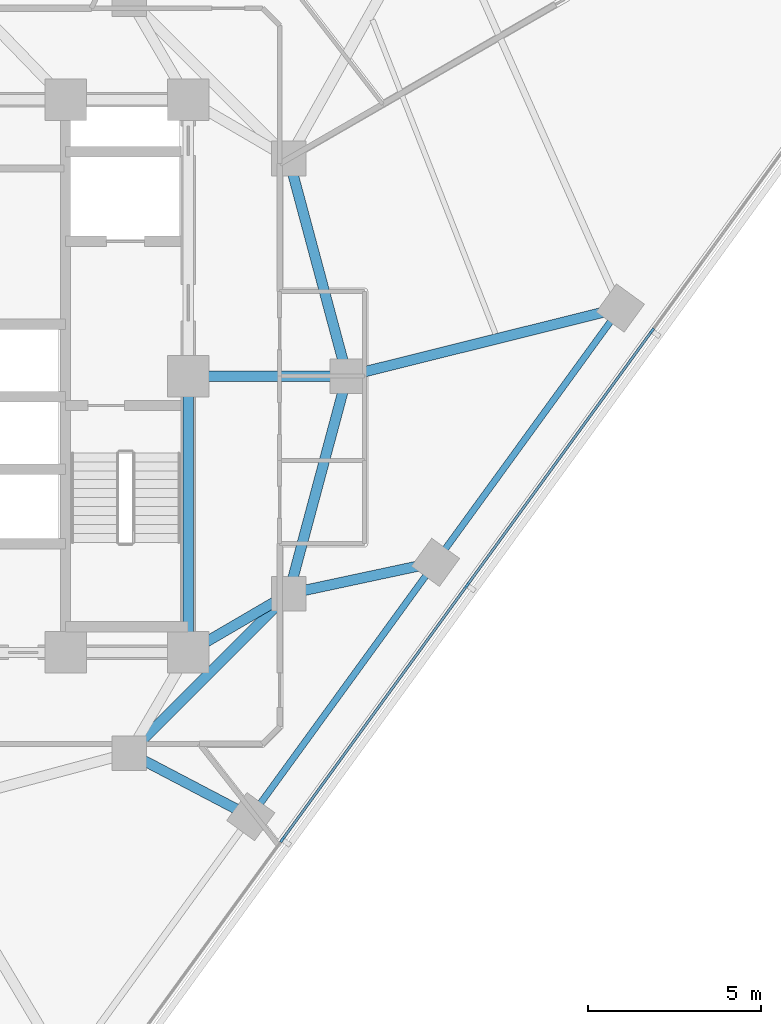
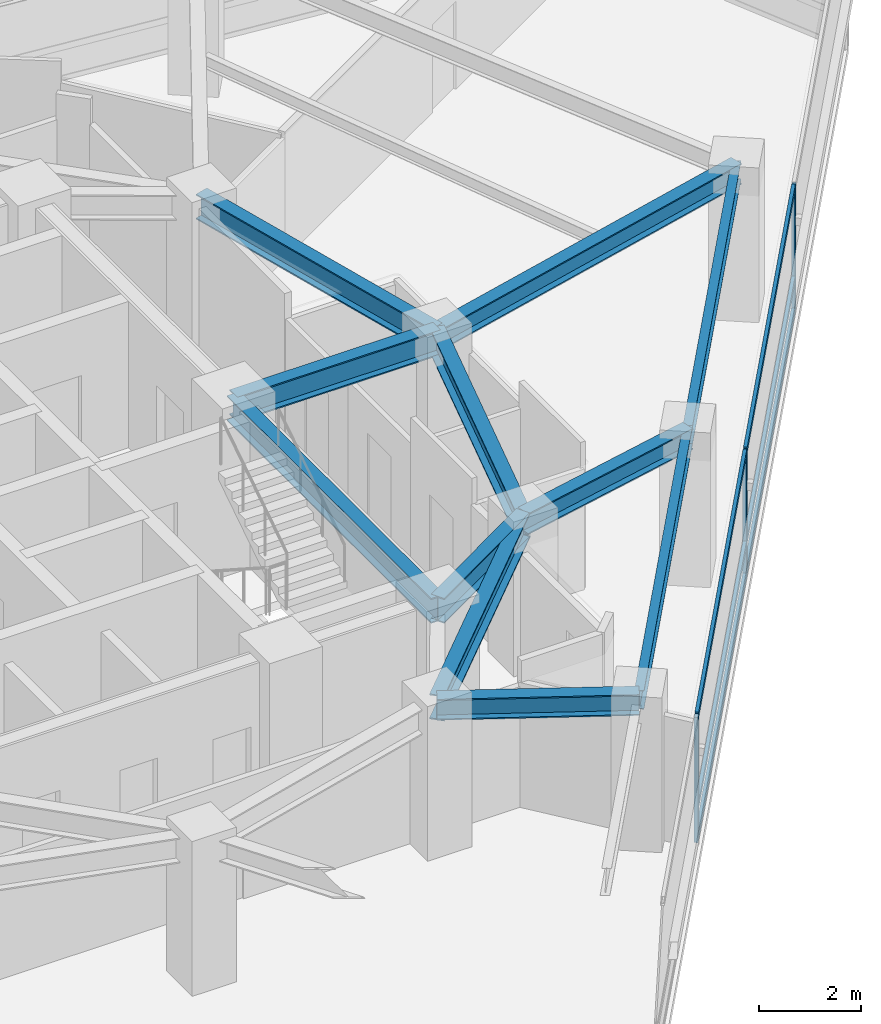
# One storey, part 4 of 14: 11 beams, 9 members, 1 element without a shape of its own.
"""IFC4 building model written with IfcOpenShell, lengths in metres."""

from ifc_helpers import new_model, si_unit, direction, frame, origin, origin_2d, place, context, subcontext, project, spatial, rectangle, i_section, extrude, material, layer, layer_set, material_profile, profile_set, type_object, element, aggregate, save


model = new_model("IFC4")

# Units and contexts
model_context = context("Model", 3, precision=1e-05, world=origin(), true_north=direction((0.0, 1.0)))
body_context = subcontext(model_context, "Body", "Model", "MODEL_VIEW")
ifc_project = project(units=[si_unit("LENGTHUNIT", "METRE"), si_unit("AREAUNIT", "SQUARE_METRE"), si_unit("VOLUMEUNIT", "CUBIC_METRE"), si_unit("PLANEANGLEUNIT", "RADIAN"), si_unit("MASSUNIT", "GRAM", prefix="KILO")], contexts=[model_context])

# Site, building, storey
site_placement = place(None, origin())
site = spatial("IfcSite", under=ifc_project, at=site_placement, CompositionType="ELEMENT")
building_placement = place(site_placement, origin())
building = spatial("IfcBuilding", under=site, at=building_placement, Name="Terralouvre Media Tower", CompositionType="ELEMENT")
storey_placement = place(building_placement, frame((0.0, 0.0, 241.10009765625)))
storey = spatial("IfcBuildingStorey", under=building, at=storey_placement, Name="L62", CompositionType="ELEMENT", Elevation=241.10009765625)

# Curtain wall, members
ifc_material_1 = material(Name="Low-iron laminated double glazing with solar-control coating", Category="glass")
ifc_layer = layer(ifc_material_1, 0.1650390625, Name="Upper Executive Tower Curtain Wall CW-05")
ifc_layer_set = layer_set([ifc_layer], Name="Low-iron laminated double glazing with solar-control coating")
curtain_wall_type = type_object("IfcCurtainWallType", Name="Upper Executive Tower Curtain Wall CW-05", PredefinedType="NOTDEFINED", material=ifc_layer_set)
curtain_wall_placement = place(storey_placement, origin())
curtain_wall = element("IfcCurtainWall", 1, at=curtain_wall_placement, inside=storey, type_object=curtain_wall_type, Name="L62 Facade Curtain Wall F0", PredefinedType="NOTDEFINED")
ifc_material_2 = material(Name="Anodised extruded aluminium 6063-T6", Category="aluminium")
ifc_material_profile_1 = material_profile(ifc_material_2, rectangle(XDim=0.074951171875, YDim=0.14990234375, at=origin_2d()), Name="ALU 75x150")
ifc_profile_set_1 = profile_set([ifc_material_profile_1], Name="Anodised extruded aluminium 6063-T6")
member_type_1 = type_object("IfcMemberType", Name="Curtain-Wall Horizontal Transom TR-150", PredefinedType="USERDEFINED", material=ifc_profile_set_1)
member_1_placement = place(storey_placement, frame((10.748779296875, -13.38720703125, 0.037353515625), z_axis=(0.587772727709, 0.809026093869, 0.0), x_axis=(-0.809026093869, 0.587772727709, 0.0)))
member_1 = element("IfcMember", 2, at=member_1_placement, type_object=member_type_1, Name="CW-05 transom 3.1", ObjectType="TRANSOM", PredefinedType="USERDEFINED", context=body_context, shape_type="SweptSolid", body=[
    extrude(rectangle(XDim=0.074951171875, YDim=0.14990234375, at=origin_2d()), origin(), (0.0, 0.0, 1.0), 9.025146484375),
])
member_2_placement = place(storey_placement, frame((10.748779296875, -13.38720703125, 0.7998046875), z_axis=(0.587772727709, 0.809026093869, 0.0), x_axis=(-0.809026093869, 0.587772727709, 0.0)))
member_2 = element("IfcMember", 3, at=member_2_placement, type_object=member_type_1, Name="CW-05 transom 3.2", ObjectType="TRANSOM", PredefinedType="USERDEFINED", context=body_context, shape_type="SweptSolid", body=[
    extrude(rectangle(XDim=0.074951171875, YDim=0.14990234375, at=origin_2d()), origin(), (0.0, 0.0, 1.0), 9.025146484375),
])
member_3_placement = place(storey_placement, frame((10.748779296875, -13.38720703125, 2.96240234375), z_axis=(0.587772727709, 0.809026093869, 0.0), x_axis=(-0.809026093869, 0.587772727709, 0.0)))
member_3 = element("IfcMember", 4, at=member_3_placement, type_object=member_type_1, Name="CW-05 transom 3.3", ObjectType="TRANSOM", PredefinedType="USERDEFINED", context=body_context, shape_type="SweptSolid", body=[
    extrude(rectangle(XDim=0.074951171875, YDim=0.14990234375, at=origin_2d()), origin(), (0.0, 0.0, 1.0), 9.025146484375),
])
member_4_placement = place(storey_placement, frame((16.09765625, -6.025146484375, 0.037353515625), z_axis=(0.587772727709, 0.809026093869, 0.0), x_axis=(-0.809026093869, 0.587772727709, 0.0)))
member_4 = element("IfcMember", 5, at=member_4_placement, type_object=member_type_1, Name="CW-05 transom 4.1", ObjectType="TRANSOM", PredefinedType="USERDEFINED", context=body_context, shape_type="SweptSolid", body=[
    extrude(rectangle(XDim=0.074951171875, YDim=0.14990234375, at=origin_2d()), origin(), (0.0, 0.0, 1.0), 9.025146484375),
])
member_5_placement = place(storey_placement, frame((16.09765625, -6.025146484375, 0.7998046875), z_axis=(0.587772727709, 0.809026093869, 0.0), x_axis=(-0.809026093869, 0.587772727709, 0.0)))
member_5 = element("IfcMember", 6, at=member_5_placement, type_object=member_type_1, Name="CW-05 transom 4.2", ObjectType="TRANSOM", PredefinedType="USERDEFINED", context=body_context, shape_type="SweptSolid", body=[
    extrude(rectangle(XDim=0.074951171875, YDim=0.14990234375, at=origin_2d()), origin(), (0.0, 0.0, 1.0), 9.025146484375),
])
member_6_placement = place(storey_placement, frame((16.09765625, -6.025146484375, 2.96240234375), z_axis=(0.587772727709, 0.809026093869, 0.0), x_axis=(-0.809026093869, 0.587772727709, 0.0)))
member_6 = element("IfcMember", 7, at=member_6_placement, type_object=member_type_1, Name="CW-05 transom 4.3", ObjectType="TRANSOM", PredefinedType="USERDEFINED", context=body_context, shape_type="SweptSolid", body=[
    extrude(rectangle(XDim=0.074951171875, YDim=0.14990234375, at=origin_2d()), origin(), (0.0, 0.0, 1.0), 9.025146484375),
])
ifc_material_3 = material(Name="Anodised extruded aluminium 6063-T6", Category="aluminium")
ifc_material_profile_2 = material_profile(ifc_material_3, rectangle(XDim=0.074951171875, YDim=0.179931640625, at=origin_2d()), Name="ALU 75x180")
ifc_profile_set_2 = profile_set([ifc_material_profile_2], Name="Anodised extruded aluminium 6063-T6")
member_type_2 = type_object("IfcMemberType", Name="Curtain-Wall Vertical Mullion ML-180", PredefinedType="MULLION", material=ifc_profile_set_2)
member_7_placement = place(storey_placement, frame((10.726806640625, -13.41748046875, 0.0), z_axis=(0.0, 0.0, 1.0), x_axis=(-0.809016959074, 0.587785300879, 0.0)))
member_7 = element("IfcMember", 8, at=member_7_placement, type_object=member_type_2, Name="CW-05 mullion 3", PredefinedType="MULLION", context=body_context, shape_type="SweptSolid", body=[
    extrude(rectangle(XDim=0.074951171875, YDim=0.179931640625, at=origin_2d()), origin(), (0.0, 0.0, 1.0), 3.0),
])
member_8_placement = place(storey_placement, frame((16.075439453125, -6.055419921875, 0.0), z_axis=(0.0, 0.0, 1.0), x_axis=(-0.809016959074, 0.587785300879, 0.0)))
member_8 = element("IfcMember", 9, at=member_8_placement, type_object=member_type_2, Name="CW-05 mullion 4", PredefinedType="MULLION", context=body_context, shape_type="SweptSolid", body=[
    extrude(rectangle(XDim=0.074951171875, YDim=0.179931640625, at=origin_2d()), origin(), (0.0, 0.0, 1.0), 3.0),
])
member_9_placement = place(storey_placement, frame((21.42431640625, 1.306640625, 0.0), z_axis=(0.0, 0.0, 1.0), x_axis=(-0.809016959074, 0.587785300879, 0.0)))
member_9 = element("IfcMember", 10, at=member_9_placement, type_object=member_type_2, Name="CW-05 mullion 5", PredefinedType="MULLION", context=body_context, shape_type="SweptSolid", body=[
    extrude(rectangle(XDim=0.074951171875, YDim=0.179931640625, at=origin_2d()), origin(), (0.0, 0.0, 1.0), 3.0),
])
aggregate(curtain_wall, [member_7, member_8, member_9, member_1, member_2, member_3, member_4, member_5, member_6])

# Beams
ifc_material_4 = material(Name="Structural steel S355J2", Category="steel")
ifc_material_profile_3 = material_profile(ifc_material_4, i_section(OverallWidth=0.18994140625, OverallDepth=0.449951171875, WebThickness=0.009521484375, FlangeThickness=0.0146484375, at=origin_2d()), Name="IPE 450")
ifc_profile_set_3 = profile_set([ifc_material_profile_3], Name="Structural steel S355J2")
beam_type_1 = type_object("IfcBeamType", Name="Perimeter Spandrel Beam SPB-450 (IPE 450)", PredefinedType="SPANDREL", material=ifc_profile_set_3)
for number, where, z_axis, x_axis, name in (
    (11, (9.8125, -12.75341796875, 3.27490234375), (0.587787185033, 0.809015590153, 0.0), (-0.809015590153, 0.587787185033, 0.0), "L62 Framing Beam BM-L62-PR05"),
    (12, (15.161376953125, -5.391357421875, 3.27490234375), (0.587787185033, 0.809015590153, 0.0), (-0.809015590153, 0.587787185033, 0.0), "L62 Framing Beam BM-L62-PR06"),
):
    element("IfcBeam", number, at=place(storey_placement, frame(where, z_axis=z_axis, x_axis=x_axis)), inside=storey, type_object=beam_type_1, Name=name, PredefinedType="SPANDREL", context=body_context, shape_type="SweptSolid", body=[
        extrude(i_section(OverallWidth=0.18994140625, OverallDepth=0.449951171875, WebThickness=0.009521484375, FlangeThickness=0.0146484375, at=origin_2d()), origin(), (0.0, 0.0, 1.0), 9.10009765625),
    ])
ifc_material_5 = material(Name="Structural steel S355J2", Category="steel")
ifc_material_profile_4 = material_profile(ifc_material_5, i_section(OverallWidth=0.300048828125, OverallDepth=0.5, WebThickness=0.014404296875, FlangeThickness=0.028076171875, at=origin_2d()), Name="HEB 500")
ifc_profile_set_4 = profile_set([ifc_material_profile_4], Name="Structural steel S355J2")
beam_type_2 = type_object("IfcBeamType", Name="Primary Floor Girder B-HEB500 (HEB 500)", PredefinedType="BEAM", material=ifc_profile_set_4)
beam_1_placement = place(storey_placement, frame((6.300048828125, -10.911865234375, 3.25), z_axis=(0.885655556229, -0.464342799794, 0.0), x_axis=(0.464342799794, 0.885655556229, 0.0)))
element("IfcBeam", 13, at=beam_1_placement, inside=storey, type_object=beam_type_2, Name="L62 Framing Beam BM-L62-RD05", PredefinedType="BEAM", context=body_context, shape_type="SweptSolid", body=[
    extrude(i_section(OverallWidth=0.300048828125, OverallDepth=0.5, WebThickness=0.014404296875, FlangeThickness=0.028076171875, at=origin_2d()), origin(), (0.0, 0.0, 1.0), 3.9658203125),
])
beam_2_placement = place(storey_placement, frame((10.911865234375, -6.300048828125, 3.25), z_axis=(0.977892761282, 0.209107023871, 0.0), x_axis=(-0.209107023871, 0.977892761282, 0.0)))
element("IfcBeam", 14, at=beam_2_placement, inside=storey, type_object=beam_type_2, Name="L62 Framing Beam BM-L62-RD06", PredefinedType="BEAM", context=body_context, shape_type="SweptSolid", body=[
    extrude(i_section(OverallWidth=0.300048828125, OverallDepth=0.5, WebThickness=0.014404296875, FlangeThickness=0.028076171875, at=origin_2d()), origin(), (0.0, 0.0, 1.0), 4.345458984375),
])
beam_3_placement = place(storey_placement, frame((12.60009765625, 0.0, 3.25), z_axis=(0.970339488521, 0.24174630714, 0.0), x_axis=(-0.24174630714, 0.970339488521, 0.0)))
element("IfcBeam", 15, at=beam_3_placement, inside=storey, type_object=beam_type_2, Name="L62 Framing Beam BM-L62-RD07", PredefinedType="BEAM", context=body_context, shape_type="SweptSolid", body=[
    extrude(i_section(OverallWidth=0.300048828125, OverallDepth=0.5, WebThickness=0.014404296875, FlangeThickness=0.028076171875, at=origin_2d()), origin(), (0.0, 0.0, 1.0), 8.15185546875),
])
ifc_material_6 = material(Name="Structural steel S460M", Category="steel")
ifc_material_profile_5 = material_profile(ifc_material_6, i_section(OverallWidth=0.300048828125, OverallDepth=0.60009765625, WebThickness=0.015380859375, FlangeThickness=0.030029296875, at=origin_2d()), Name="HEB 600")
ifc_profile_set_5 = profile_set([ifc_material_profile_5], Name="Structural steel S460M")
beam_type_3 = type_object("IfcBeamType", Name="Primary Floor Girder B-HEB600 (HEB 600)", PredefinedType="BEAM", material=ifc_profile_set_5)
beam_4_placement = place(storey_placement, frame((8.0, -8.0, 3.199951171875), z_axis=(0.0, 1.0, 0.0), x_axis=(-1.0, 0.0, 0.0)))
element("IfcBeam", 16, at=beam_4_placement, inside=storey, type_object=beam_type_3, Name="L62 Framing Beam BM-L62-CPR04", PredefinedType="BEAM", context=body_context, shape_type="SweptSolid", body=[
    extrude(i_section(OverallWidth=0.300048828125, OverallDepth=0.60009765625, WebThickness=0.015380859375, FlangeThickness=0.030029296875, at=origin_2d()), origin(), (0.0, 0.0, 1.0), 8.0),
])
beam_5_placement = place(storey_placement, frame((6.300048828125, -10.911865234375, 3.199951171875), z_axis=(0.707106781187, 0.707106781187, 0.0), x_axis=(-0.707106781187, 0.707106781187, 0.0)))
element("IfcBeam", 17, at=beam_5_placement, inside=storey, type_object=beam_type_3, Name="L62 Framing Beam BM-L62-MR04", PredefinedType="BEAM", context=body_context, shape_type="SweptSolid", body=[
    extrude(i_section(OverallWidth=0.300048828125, OverallDepth=0.60009765625, WebThickness=0.015380859375, FlangeThickness=0.030029296875, at=origin_2d()), origin(), (0.0, 0.0, 1.0), 6.52197265625),
])
for number, where, z_axis, x_axis, name in (
    (18, (10.911865234375, -6.300048828125, 3.199951171875), (0.258838989821, 0.965920481897, 0.0), (-0.965920481897, 0.258838989821, 0.0), "L62 Framing Beam BM-L62-MR05"),
    (19, (12.60009765625, 0.0, 3.199951171875), (-0.258838989821, 0.965920481897, 0.0), (-0.965920481897, -0.258838989821, 0.0), "L62 Framing Beam BM-L62-MR06"),
):
    element("IfcBeam", number, at=place(storey_placement, frame(where, z_axis=z_axis, x_axis=x_axis)), inside=storey, type_object=beam_type_3, Name=name, PredefinedType="BEAM", context=body_context, shape_type="SweptSolid", body=[
        extrude(i_section(OverallWidth=0.300048828125, OverallDepth=0.60009765625, WebThickness=0.015380859375, FlangeThickness=0.030029296875, at=origin_2d()), origin(), (0.0, 0.0, 1.0), 6.522216796875),
    ])
beam_6_placement = place(storey_placement, frame((8.0, -8.0, 3.199951171875), z_axis=(0.863602894532, 0.504172629717, 0.0), x_axis=(-0.504172629717, 0.863602894532, 0.0)))
element("IfcBeam", 20, at=beam_6_placement, inside=storey, type_object=beam_type_3, Name="L62 Framing Beam BM-L62-CM05", PredefinedType="BEAM", context=body_context, shape_type="SweptSolid", body=[
    extrude(i_section(OverallWidth=0.300048828125, OverallDepth=0.60009765625, WebThickness=0.015380859375, FlangeThickness=0.030029296875, at=origin_2d()), origin(), (0.0, 0.0, 1.0), 3.371826171875),
])
beam_7_placement = place(storey_placement, frame((8.0, 0.0, 3.199951171875), z_axis=(1.0, 0.0, 0.0), x_axis=(0.0, 1.0, 0.0)))
element("IfcBeam", 21, at=beam_7_placement, inside=storey, type_object=beam_type_3, Name="L62 Framing Beam BM-L62-CM06", PredefinedType="BEAM", context=body_context, shape_type="SweptSolid", body=[
    extrude(i_section(OverallWidth=0.300048828125, OverallDepth=0.60009765625, WebThickness=0.015380859375, FlangeThickness=0.030029296875, at=origin_2d()), origin(), (0.0, 0.0, 1.0), 4.60009765625),
])

save(model, "model.ifc")
